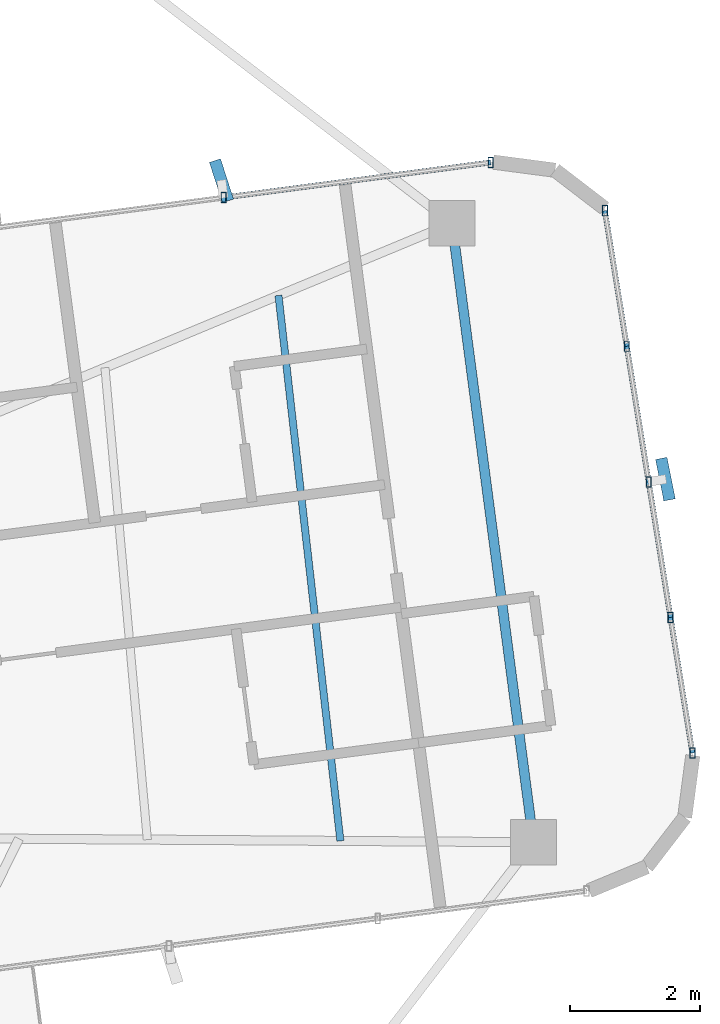
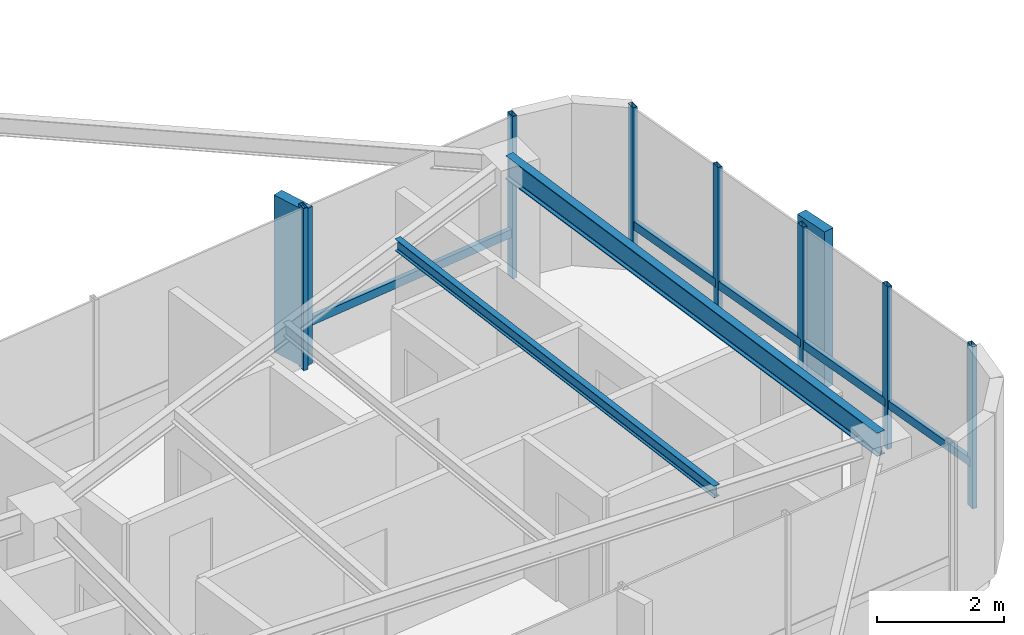
# One storey, part 12 of 22: 14 members, 2 beams, 2 elements without a shape of their own.
"""IFC4 building model written with IfcOpenShell, lengths in metres."""

from ifc_helpers import new_model, si_unit, direction, frame, origin, origin_2d, place, context, subcontext, project, spatial, rectangle, hollow_rectangle, i_section, extrude, source, transform, mapped, material, material_profile, profile_set, type_object, element, aggregate, save


model = new_model("IFC4")

# Units and contexts
model_context = context("Model", 3, precision=1e-05, world=origin(), true_north=direction((0.0, 1.0)))
body_context = subcontext(model_context, "Body", "Model", "MODEL_VIEW")
ifc_project = project(units=[si_unit("LENGTHUNIT", "METRE"), si_unit("AREAUNIT", "SQUARE_METRE"), si_unit("VOLUMEUNIT", "CUBIC_METRE"), si_unit("PLANEANGLEUNIT", "RADIAN"), si_unit("MASSUNIT", "GRAM", prefix="KILO")], contexts=[model_context])

# Site, building, storey
site_placement = place(None, origin())
site = spatial("IfcSite", under=ifc_project, at=site_placement, CompositionType="ELEMENT")
building_placement = place(site_placement, origin())
building = spatial("IfcBuilding", under=site, at=building_placement, Name="Sahyath Konkavel Grand Hotel", CompositionType="ELEMENT")
storey_placement = place(building_placement, frame((0.0, 0.0, 223.25)))
storey = spatial("IfcBuildingStorey", under=building, at=storey_placement, Name="L62", CompositionType="ELEMENT", Elevation=223.25)

# Beams
ifc_material_1 = material(Name="Steel E350", Category="steel")
ifc_material_profile_1 = material_profile(ifc_material_1, i_section(OverallWidth=0.14990234375, OverallDepth=0.449951171875, WebThickness=0.009521484375, FlangeThickness=0.017333984375, FilletRadius=0.014892578125, at=origin_2d()), Name="ISMB 450")
ifc_profile_set_1 = profile_set([ifc_material_profile_1], Name="Steel E350")
beam_type_1 = type_object("IfcBeamType", Name="BM-ISMB450", PredefinedType="BEAM", material=ifc_profile_set_1)
shared_shape_1 = source(origin(), body_context, "Body", "SweptSolid", [
    extrude(i_section(OverallWidth=0.14990234375, OverallDepth=0.449951171875, WebThickness=0.009521484375, FlangeThickness=0.017333984375, FilletRadius=0.014892578125, at=origin_2d()), origin(), (0.0, 0.0, 1.0), 9.583984375),
])
beam_1_placement = place(storey_placement, frame((17.849853515625, -2.4833984375, 2.885009765625), z_axis=(-0.130528315451, 0.991444581843, 0.0), x_axis=(-0.991444581843, -0.130528315451, 0.0)))
element("IfcBeam", 1, at=beam_1_placement, inside=storey, type_object=beam_type_1, Name="L62 Wing Tip Edge Beam E", PredefinedType="BEAM", context=body_context, shape_type="MappedRepresentation", body=[
    mapped(shared_shape_1, transform((0.0, 0.0, 0.0), scale=1.0)),
])
ifc_material_profile_2 = material_profile(ifc_material_1, i_section(OverallWidth=0.110107421875, OverallDepth=0.22509765625, WebThickness=0.006591796875, FlangeThickness=0.01171875, FilletRadius=0.011962890625, at=origin_2d()), Name="ISMB 225")
ifc_profile_set_2 = profile_set([ifc_material_profile_2], Name="Steel E350")
beam_type_2 = type_object("IfcBeamType", Name="BM-ISMB225", PredefinedType="BEAM", material=ifc_profile_set_2)
shared_shape_2 = source(origin(), body_context, "Body", "SweptSolid", [
    extrude(i_section(OverallWidth=0.110107421875, OverallDepth=0.22509765625, WebThickness=0.006591796875, FlangeThickness=0.01171875, FilletRadius=0.011962890625, at=origin_2d()), origin(), (0.0, 0.0, 1.0), 8.42724609375),
])
beam_2_placement = place(storey_placement, frame((14.885986328125, -2.46337890625, 2.99755859375), z_axis=(-0.112809584756, 0.993616625056, 0.0), x_axis=(-0.993616625056, -0.112809584756, 0.0)))
element("IfcBeam", 2, at=beam_2_placement, inside=storey, type_object=beam_type_2, Name="L62 Secondary Floor Beam E-3", PredefinedType="BEAM", context=body_context, shape_type="MappedRepresentation", body=[
    mapped(shared_shape_2, transform((0.0, 0.0, 0.0), scale=1.0)),
])

# Curtain wall, member
ifc_material_2 = material(Name="Anodised Bronze Aluminium & Low-E Glazing", Category="aluminium")
curtain_wall_type = type_object("IfcCurtainWallType", Name="CW-ZONE4", PredefinedType="NOTDEFINED", material=ifc_material_2)
curtain_wall_1_placement = place(storey_placement, origin())
curtain_wall_1 = element("IfcCurtainWall", 3, at=curtain_wall_1_placement, inside=storey, type_object=curtain_wall_type, Name="L62 Unitised Curtain Wall F4", PredefinedType="NOTDEFINED")
ifc_material_3 = material(Name="Warm Buff Sandstone Cladding on Concrete C50/60", Category="masonry")
ifc_material_profile_3 = material_profile(ifc_material_3, rectangle(XDim=0.179931640625, YDim=0.64990234375, at=origin_2d()), Name="FIN 180x650")
ifc_profile_set_3 = profile_set([ifc_material_profile_3], Name="Warm Buff Sandstone Cladding on Concrete C50/60")
member_type_1 = type_object("IfcMemberType", Name="FIN-SANDSTONE-650", PredefinedType="MULLION", material=ifc_profile_set_3)
shared_shape_3 = source(origin(), body_context, "Body", "SweptSolid", [
    extrude(rectangle(XDim=0.179931640625, YDim=0.64990234375, at=origin_2d()), origin(), (0.0, 0.0, 1.0), 3.010009765625),
])
member_1_placement = place(storey_placement, frame((19.87548828125, 3.0908203125, 0.050048828125), z_axis=(0.0, 0.0, 1.0), x_axis=(0.980785280403, 0.195090322016, 0.0)))
member_1 = element("IfcMember", 4, at=member_1_placement, type_object=member_type_1, Name="L62 Sandstone Vertical Solar Fin FIN F4-2", PredefinedType="MULLION", context=body_context, shape_type="MappedRepresentation", body=[
    mapped(shared_shape_3, transform((0.0, 0.0, 0.0), scale=1.0)),
])

curtain_wall_2_placement = place(storey_placement, origin())
curtain_wall_2 = element("IfcCurtainWall", 5, at=curtain_wall_2_placement, inside=storey, type_object=curtain_wall_type, Name="L62 Unitised Curtain Wall F7", PredefinedType="NOTDEFINED")
member_2_placement = place(storey_placement, frame((13.0595703125, 7.67236328125, 0.050048828125), z_axis=(0.0, 0.0, 1.0), x_axis=(0.951648033235, 0.307190528564, 0.0)))
member_2 = element("IfcMember", 6, at=member_2_placement, type_object=member_type_1, Name="L62 Sandstone Vertical Solar Fin FIN F7-1", PredefinedType="MULLION", context=body_context, shape_type="MappedRepresentation", body=[
    mapped(shared_shape_3, transform((0.0, 0.0, 0.0), scale=1.0)),
])

# Member
ifc_material_4 = material(Name="Anodised Bronze Aluminium", Category="aluminium")
ifc_material_profile_4 = material_profile(ifc_material_4, hollow_rectangle(XDim=0.080078125, YDim=0.159912109375, WallThickness=0.006103515625, at=origin_2d()), Name="RHS 160x80x6")
ifc_profile_set_4 = profile_set([ifc_material_profile_4], Name="Anodised Bronze Aluminium")
member_type_2 = type_object("IfcMemberType", Name="CW-MUL-160", PredefinedType="MULLION", material=ifc_profile_set_4)
shared_shape_4 = source(origin(), body_context, "Body", "SweptSolid", [
    extrude(hollow_rectangle(XDim=0.080078125, YDim=0.159912109375, WallThickness=0.006103515625, at=origin_2d()), origin(), (0.0, 0.0, 1.0), 3.110107421875),
])
member_3_placement = place(storey_placement, frame((20.290771484375, -1.113037109375, 0.0), z_axis=(0.0, 0.0, 1.0), x_axis=(1.0, 0.0, 0.0)))
member_3 = element("IfcMember", 7, at=member_3_placement, type_object=member_type_2, Name="L62 Curtain Wall Mullion F4-0", PredefinedType="MULLION", context=body_context, shape_type="MappedRepresentation", body=[
    mapped(shared_shape_4, transform((0.0, 0.0, 0.0), scale=1.0)),
])

member_4_placement = place(storey_placement, frame((19.954833984375, 0.968017578125, 0.0), z_axis=(0.0, 0.0, 1.0), x_axis=(1.0, 0.0, 0.0)))
member_4 = element("IfcMember", 8, at=member_4_placement, type_object=member_type_2, Name="L62 Curtain Wall Mullion F4-1", PredefinedType="MULLION", context=body_context, shape_type="MappedRepresentation", body=[
    mapped(shared_shape_4, transform((0.0, 0.0, 0.0), scale=1.0)),
])

member_5_placement = place(storey_placement, frame((19.618896484375, 3.04931640625, 0.0), z_axis=(0.0, 0.0, 1.0), x_axis=(1.0, 0.0, 0.0)))
member_5 = element("IfcMember", 9, at=member_5_placement, type_object=member_type_2, Name="L62 Curtain Wall Mullion F4-2", PredefinedType="MULLION", context=body_context, shape_type="MappedRepresentation", body=[
    mapped(shared_shape_4, transform((0.0, 0.0, 0.0), scale=1.0)),
])

member_6_placement = place(storey_placement, frame((19.282958984375, 5.130615234375, 0.0), z_axis=(0.0, 0.0, 1.0), x_axis=(1.0, 0.0, 0.0)))
member_6 = element("IfcMember", 10, at=member_6_placement, type_object=member_type_2, Name="L62 Curtain Wall Mullion F4-3", PredefinedType="MULLION", context=body_context, shape_type="MappedRepresentation", body=[
    mapped(shared_shape_4, transform((0.0, 0.0, 0.0), scale=1.0)),
])

member_7_placement = place(storey_placement, frame((18.947021484375, 7.2119140625, 0.0), z_axis=(0.0, 0.0, 1.0), x_axis=(1.0, 0.0, 0.0)))
member_7 = element("IfcMember", 11, at=member_7_placement, type_object=member_type_2, Name="L62 Curtain Wall Mullion F4-4", PredefinedType="MULLION", context=body_context, shape_type="MappedRepresentation", body=[
    mapped(shared_shape_4, transform((0.0, 0.0, 0.0), scale=1.0)),
])

member_8_placement = place(storey_placement, frame((17.19189453125, 7.9541015625, 0.0), z_axis=(0.0, 0.0, 1.0), x_axis=(1.0, 0.0, 0.0)))
member_8 = element("IfcMember", 12, at=member_8_placement, type_object=member_type_2, Name="L62 Curtain Wall Mullion F7-0", PredefinedType="MULLION", context=body_context, shape_type="MappedRepresentation", body=[
    mapped(shared_shape_4, transform((0.0, 0.0, 0.0), scale=1.0)),
])

member_9_placement = place(storey_placement, frame((13.093505859375, 7.41455078125, 0.0), z_axis=(0.0, 0.0, 1.0), x_axis=(1.0, 0.0, 0.0)))
member_9 = element("IfcMember", 13, at=member_9_placement, type_object=member_type_2, Name="L62 Curtain Wall Mullion F7-1", PredefinedType="MULLION", context=body_context, shape_type="MappedRepresentation", body=[
    mapped(shared_shape_4, transform((0.0, 0.0, 0.0), scale=1.0)),
])

ifc_material_profile_5 = material_profile(ifc_material_4, hollow_rectangle(XDim=0.080078125, YDim=0.159912109375, WallThickness=0.006103515625, at=origin_2d()), Name="RHS 160x80x6")
ifc_profile_set_5 = profile_set([ifc_material_profile_5], Name="Anodised Bronze Aluminium")
member_type_3 = type_object("IfcMemberType", Name="CW-TRN-160", PredefinedType="USERDEFINED", material=ifc_profile_set_5)
shared_shape_5 = source(origin(), body_context, "Body", "SweptSolid", [
    extrude(hollow_rectangle(XDim=0.080078125, YDim=0.159912109375, WallThickness=0.006103515625, at=origin_2d()), origin(), (0.0, 0.0, 1.0), 2.10791015625),
])
member_10_placement = place(storey_placement, frame((20.290771484375, -1.113037109375, 0.85009765625), z_axis=(-0.159363523861, 0.987219969036, 0.0), x_axis=(-0.987219969036, -0.159363523861, 0.0)))
member_10 = element("IfcMember", 14, at=member_10_placement, type_object=member_type_3, Name="L62 Curtain Wall Transom F4-0-spandrel", ObjectType="TRANSOM", PredefinedType="USERDEFINED", context=body_context, shape_type="MappedRepresentation", body=[
    mapped(shared_shape_5, transform((0.0, 0.0, 0.0), scale=1.0)),
])

shared_shape_6 = source(origin(), body_context, "Body", "SweptSolid", [
    extrude(hollow_rectangle(XDim=0.080078125, YDim=0.159912109375, WallThickness=0.006103515625, at=origin_2d()), origin(), (0.0, 0.0, 1.0), 2.108154296875),
])
member_11_placement = place(storey_placement, frame((19.954833984375, 0.968017578125, 0.85009765625), z_axis=(-0.159345304869, 0.987222909892, 0.0), x_axis=(-0.987222909892, -0.159345304869, 0.0)))
member_11 = element("IfcMember", 15, at=member_11_placement, type_object=member_type_3, Name="L62 Curtain Wall Transom F4-1-spandrel", ObjectType="TRANSOM", PredefinedType="USERDEFINED", context=body_context, shape_type="MappedRepresentation", body=[
    mapped(shared_shape_6, transform((0.0, 0.0, 0.0), scale=1.0)),
])

member_12_placement = place(storey_placement, frame((19.618896484375, 3.04931640625, 0.85009765625), z_axis=(-0.159345304869, 0.987222909892, 0.0), x_axis=(-0.987222909892, -0.159345304869, 0.0)))
member_12 = element("IfcMember", 16, at=member_12_placement, type_object=member_type_3, Name="L62 Curtain Wall Transom F4-2-spandrel", ObjectType="TRANSOM", PredefinedType="USERDEFINED", context=body_context, shape_type="MappedRepresentation", body=[
    mapped(shared_shape_6, transform((0.0, 0.0, 0.0), scale=1.0)),
])

member_13_placement = place(storey_placement, frame((19.282958984375, 5.130615234375, 0.85009765625), z_axis=(-0.159345304869, 0.987222909892, 0.0), x_axis=(-0.987222909892, -0.159345304869, 0.0)))
member_13 = element("IfcMember", 17, at=member_13_placement, type_object=member_type_3, Name="L62 Curtain Wall Transom F4-3-spandrel", ObjectType="TRANSOM", PredefinedType="USERDEFINED", context=body_context, shape_type="MappedRepresentation", body=[
    mapped(shared_shape_6, transform((0.0, 0.0, 0.0), scale=1.0)),
])

aggregate(curtain_wall_1, [member_3, member_4, member_5, member_1, member_6, member_7, member_10, member_11, member_12, member_13])

shared_shape_7 = source(origin(), body_context, "Body", "SweptSolid", [
    extrude(hollow_rectangle(XDim=0.080078125, YDim=0.159912109375, WallThickness=0.006103515625, at=origin_2d()), origin(), (0.0, 0.0, 1.0), 4.1337890625),
])
member_14_placement = place(storey_placement, frame((17.19189453125, 7.9541015625, 0.85009765625), z_axis=(-0.991445247163, -0.130523261824, 0.0), x_axis=(0.130523261824, -0.991445247163, 0.0)))
member_14 = element("IfcMember", 18, at=member_14_placement, type_object=member_type_3, Name="L62 Curtain Wall Transom F7-0-spandrel", ObjectType="TRANSOM", PredefinedType="USERDEFINED", context=body_context, shape_type="MappedRepresentation", body=[
    mapped(shared_shape_7, transform((0.0, 0.0, 0.0), scale=1.0)),
])

aggregate(curtain_wall_2, [member_8, member_9, member_2, member_14])

save(model, "model.ifc")
